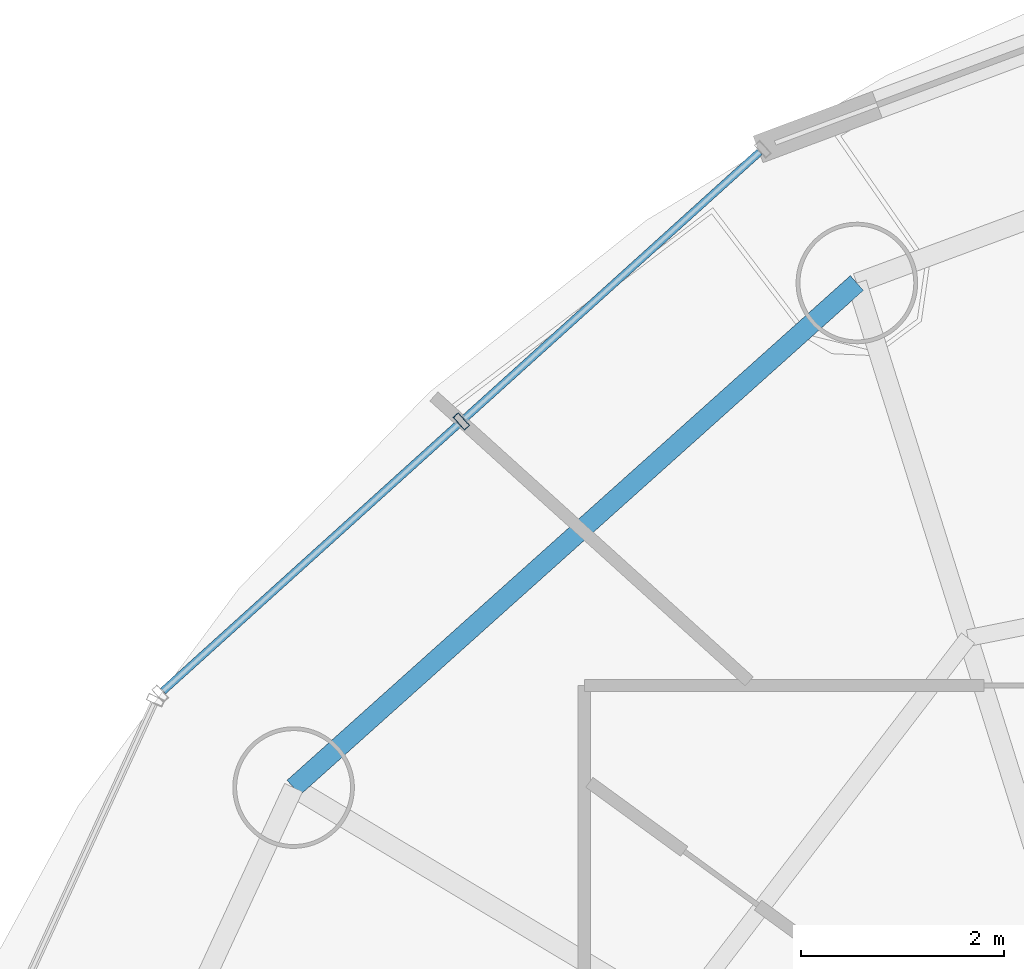
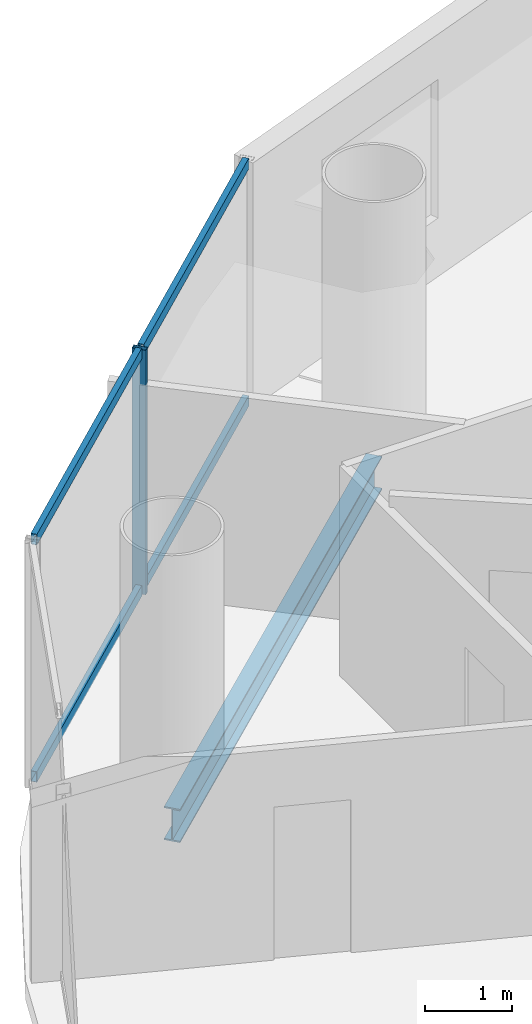
# One storey, part 14 of 27: 5 members, 1 beam, 1 element without a shape of its own.
"""IFC4 building model written with IfcOpenShell, lengths in metres."""

from ifc_helpers import new_model, si_unit, direction, frame, origin, origin_2d, place, context, subcontext, project, spatial, hollow_rectangle, i_section, extrude, source, transform, mapped, material, material_profile, profile_set, type_object, element, aggregate, save


model = new_model("IFC4")

# Units and contexts
model_context = context("Model", 3, precision=1e-05, world=origin(), true_north=direction((-0.2419218956, 0.970295726276)))
body_context = subcontext(model_context, "Body", "Model", "MODEL_VIEW")
ifc_project = project(units=[si_unit("LENGTHUNIT", "METRE"), si_unit("AREAUNIT", "SQUARE_METRE"), si_unit("VOLUMEUNIT", "CUBIC_METRE"), si_unit("PLANEANGLEUNIT", "RADIAN"), si_unit("MASSUNIT", "GRAM", prefix="KILO")], contexts=[model_context])

# Site, building, storey
site_placement = place(None, origin())
site = spatial("IfcSite", under=ifc_project, at=site_placement, CompositionType="ELEMENT")
building_placement = place(site_placement, origin())
building = spatial("IfcBuilding", under=site, at=building_placement, Name="Cobrevalo Terracotta Tower", CompositionType="ELEMENT")
storey_placement = place(building_placement, frame((0.0, 0.0, 198.60009765625)))
storey = spatial("IfcBuildingStorey", under=building, at=storey_placement, Name="L52", CompositionType="ELEMENT", Elevation=198.60009765625)

# Beam
ifc_material_1 = material(Name="Steel S355", Category="steel")
ifc_material_profile_1 = material_profile(ifc_material_1, i_section(OverallWidth=0.194091796875, OverallDepth=0.468994140625, WebThickness=0.011474609375, FlangeThickness=0.0205078125, at=origin_2d()), Name="W 460x106")
ifc_profile_set_1 = profile_set([ifc_material_profile_1], Name="Steel S355")
beam_type = type_object("IfcBeamType", Name="Structural Spandrel W 460x106 (Steel S355)", PredefinedType="SPANDREL", material=ifc_profile_set_1)
beam_placement = place(storey_placement, frame((26.80517578125, 41.80810546875, -0.49951171875), z_axis=(-0.744851930997, -0.667229796165, 0.0), x_axis=(0.667229796165, -0.744851930997, 0.0)))
element("IfcBeam", 1, at=beam_placement, inside=storey, type_object=beam_type, Name="L52 perimeter ring spandrel 06", PredefinedType="SPANDREL", context=body_context, shape_type="SweptSolid", body=[
    extrude(i_section(OverallWidth=0.194091796875, OverallDepth=0.468994140625, WebThickness=0.011474609375, FlangeThickness=0.0205078125, at=origin_2d()), origin(), (0.0, 0.0, 1.0), 7.463623046875),
])

# Curtain wall, members
ifc_material_2 = material(Name="Anodized aluminium", Category="aluminium")
curtain_wall_type = type_object("IfcCurtainWallType", Name="Mid-tower high-wind unitised curtain wall CW-U2", PredefinedType="NOTDEFINED", material=ifc_material_2)
curtain_wall_placement = place(storey_placement, origin())
curtain_wall = element("IfcCurtainWall", 2, at=curtain_wall_placement, inside=storey, type_object=curtain_wall_type, Name="L52 curtain wall CW-L52-S06", PredefinedType="NOTDEFINED")
ifc_material_profile_2 = material_profile(ifc_material_2, hollow_rectangle(XDim=0.074951171875, YDim=0.14990234375, WallThickness=0.00439453125, at=origin_2d()), Name="CWT 75x150")
ifc_profile_set_2 = profile_set([ifc_material_profile_2], Name="Anodized aluminium")
member_type_1 = type_object("IfcMemberType", Name="Tower unitised aluminium transom 75x150", PredefinedType="USERDEFINED", material=ifc_profile_set_2)
shared_shape_1 = source(origin(), body_context, "Body", "SweptSolid", [
    extrude(hollow_rectangle(XDim=0.074951171875, YDim=0.14990234375, WallThickness=0.00439453125, at=origin_2d()), origin(), (0.0, 0.0, 1.0), 3.927490234375),
])
member_1_placement = place(storey_placement, frame((22.872314453125, 40.414794921875, 0.0498046875), z_axis=(-0.741975952623, -0.670426495396, 0.0), x_axis=(0.670426495396, -0.741975952623, 0.0)))
member_1 = element("IfcMember", 3, at=member_1_placement, type_object=member_type_1, Name="CW-L52-S06 transom B02-T1", ObjectType="TRANSOM", PredefinedType="USERDEFINED", context=body_context, shape_type="MappedRepresentation", body=[
    mapped(shared_shape_1, transform((0.0, 0.0, 0.0), scale=1.0)),
])
member_2_placement = place(storey_placement, frame((22.872314453125, 40.414794921875, 3.385009765625), z_axis=(-0.741975952623, -0.670426495396, 0.0), x_axis=(0.670426495396, -0.741975952623, 0.0)))
member_2 = element("IfcMember", 4, at=member_2_placement, type_object=member_type_1, Name="CW-L52-S06 transom B02-T2", ObjectType="TRANSOM", PredefinedType="USERDEFINED", context=body_context, shape_type="MappedRepresentation", body=[
    mapped(shared_shape_1, transform((0.0, 0.0, 0.0), scale=1.0)),
])
shared_shape_2 = source(origin(), body_context, "Body", "SweptSolid", [
    extrude(hollow_rectangle(XDim=0.074951171875, YDim=0.14990234375, WallThickness=0.00439453125, at=origin_2d()), origin(), (0.0, 0.0, 1.0), 3.927734375),
])
member_3_placement = place(storey_placement, frame((25.845947265625, 43.101318359375, 0.0498046875), z_axis=(-0.742003891138, -0.670395573923, 0.0), x_axis=(0.670395573923, -0.742003891138, 0.0)))
member_3 = element("IfcMember", 5, at=member_3_placement, type_object=member_type_1, Name="CW-L52-S06 transom B01-T1", ObjectType="TRANSOM", PredefinedType="USERDEFINED", context=body_context, shape_type="MappedRepresentation", body=[
    mapped(shared_shape_2, transform((0.0, 0.0, 0.0), scale=1.0)),
])
member_4_placement = place(storey_placement, frame((25.845947265625, 43.101318359375, 3.385009765625), z_axis=(-0.742003891138, -0.670395573923, 0.0), x_axis=(0.670395573923, -0.742003891138, 0.0)))
member_4 = element("IfcMember", 6, at=member_4_placement, type_object=member_type_1, Name="CW-L52-S06 transom B01-T2", ObjectType="TRANSOM", PredefinedType="USERDEFINED", context=body_context, shape_type="MappedRepresentation", body=[
    mapped(shared_shape_2, transform((0.0, 0.0, 0.0), scale=1.0)),
])
ifc_material_profile_3 = material_profile(ifc_material_2, hollow_rectangle(XDim=0.070068359375, YDim=0.169921875, WallThickness=0.00439453125, at=origin_2d()), Name="CWM 70x170")
ifc_profile_set_3 = profile_set([ifc_material_profile_3], Name="Anodized aluminium")
member_type_2 = type_object("IfcMemberType", Name="Upper tower unitised mullion 70x170", PredefinedType="MULLION", material=ifc_profile_set_3)
shared_shape_3 = source(origin(), body_context, "Body", "SweptSolid", [
    extrude(hollow_rectangle(XDim=0.070068359375, YDim=0.169921875, WallThickness=0.00439453125, at=origin_2d()), origin(), (0.0, 0.0, 1.0), 3.434814453125),
])
member_5_placement = place(storey_placement, frame((22.902099609375, 40.441650390625, 0.0), z_axis=(0.0, 0.0, 1.0), x_axis=(-0.741987542015, -0.670413668935, 0.0)))
member_5 = element("IfcMember", 7, at=member_5_placement, type_object=member_type_2, Name="CW-L52-S06 vertical mullion 02", PredefinedType="MULLION", context=body_context, shape_type="MappedRepresentation", body=[
    mapped(shared_shape_3, transform((0.0, 0.0, 0.0), scale=1.0)),
])
aggregate(curtain_wall, [member_5, member_3, member_4, member_1, member_2])

save(model, "model.ifc")
